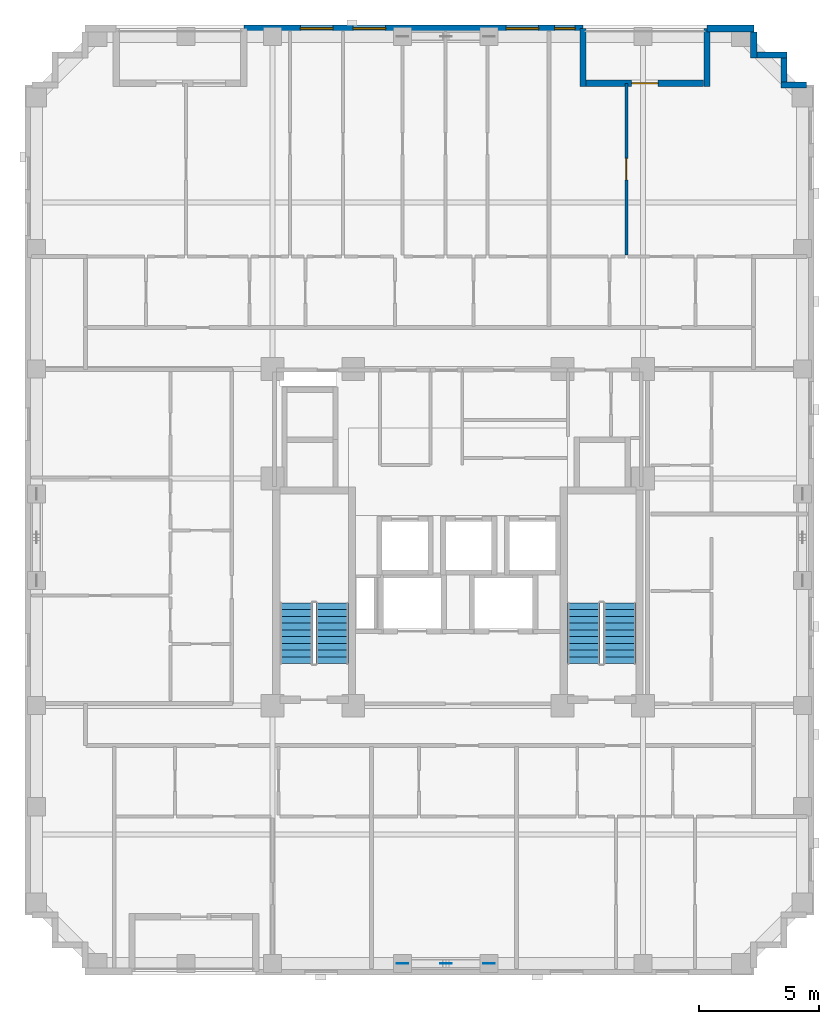
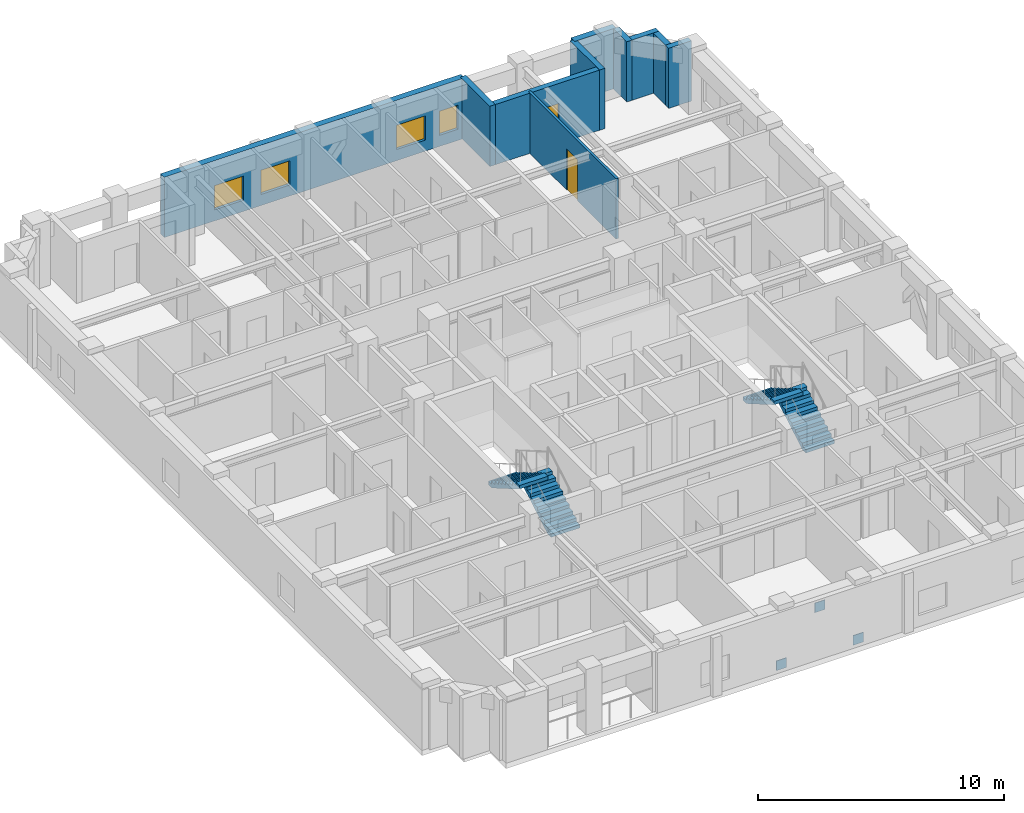
# One storey, part 8 of 11: 10 walls, 4 stair flights, 4 windows, 3 discrete accessories, 2 doors, 6 openings, 2 elements without a shape of their own.
"""IFC4 building model written with IfcOpenShell, lengths in metres."""

import ifcopenshell
import ifcopenshell.guid

model = None  # the IFC model being written
_history = None  # IfcOwnerHistory: only IFC2X3 demands one
_inside = {}  # id of a spatial element -> (the spatial element, [elements in it])
_under = {}  # id of a project, library or spatial element -> (it, [spatial elements below it])
_declared = {}  # id of a project -> (the project, [libraries it declares])
_typed = {}  # id of a type object -> (the type object, [elements of that type])
_made_of = {}  # id of a material, layer set ... -> (it, [elements and type objects made of it])


def new_model(schema):
    """Start an empty IFC model of exactly this schema.

    Asked for "IFC4X3", IfcOpenShell would pick the latest addendum, in which some entities
    have other attributes; the version numbers below select the first issue.
    IFC2X3 requires an IfcOwnerHistory on every rooted entity: one is made here for all.
    """
    global model, _history
    if schema == "IFC4X3":
        model = ifcopenshell.file(schema_version=(4, 3, 0, 0))
    else:
        model = ifcopenshell.file(schema=schema)
    _inside.clear()
    _under.clear()
    _declared.clear()
    _typed.clear()
    _made_of.clear()
    _history = None
    if model.schema == "IFC2X3":
        org = make("IfcOrganization", Name="unknown")
        user = make(
            "IfcPersonAndOrganization",
            ThePerson=make("IfcPerson", FamilyName="unknown"),
            TheOrganization=org,
        )
        app = make(
            "IfcApplication",
            ApplicationDeveloper=org,
            Version="unknown",
            ApplicationFullName="unknown",
            ApplicationIdentifier="unknown",
        )
        _history = make(
            "IfcOwnerHistory",
            OwningUser=user,
            OwningApplication=app,
            ChangeAction="ADDED",
            CreationDate=0,
        )
    return model


def make(cls, **values):
    """One entity of the class cls with the attributes given. An attribute that is None is left unset."""
    return model.create_entity(
        cls, **{name: value for name, value in values.items() if value is not None}
    )


def rooted(cls, **values):
    """An entity with a GlobalId (a new one), such as an element, a storey or a relation."""
    return make(cls, GlobalId=ifcopenshell.guid.new(), OwnerHistory=_history, **values)


def si_unit(unit_type, name, prefix=None):
    """IfcSIUnit, for example si_unit("LENGTHUNIT", "METRE", prefix="MILLI")."""
    return make("IfcSIUnit", UnitType=unit_type, Prefix=prefix, Name=name)


def derived_unit(unit_type, elements):
    """IfcDerivedUnit: a product of units, each with its exponent."""
    return make(
        "IfcDerivedUnit",
        Elements=[
            make("IfcDerivedUnitElement", Unit=unit, Exponent=power)
            for unit, power in elements
        ],
        UnitType=unit_type,
    )


def assignment(units):
    """IfcUnitAssignment: the units of a project."""
    return None if units is None else make("IfcUnitAssignment", Units=units)


def point(xyz):
    """IfcCartesianPoint."""
    return None if xyz is None else make("IfcCartesianPoint", Coordinates=xyz)


def direction(xyz):
    """IfcDirection."""
    return None if xyz is None else make("IfcDirection", DirectionRatios=xyz)


def frame(location, z_axis=None, x_axis=None):
    """IfcAxis2Placement3D, a coordinate frame: its origin and axes. An axis left out is left unset."""
    return make(
        "IfcAxis2Placement3D",
        Location=point(location),
        Axis=direction(z_axis),
        RefDirection=direction(x_axis),
    )


def frame_2d(location, x_axis=None):
    """IfcAxis2Placement2D, a coordinate frame in the plane: its origin and x axis."""
    return make(
        "IfcAxis2Placement2D", Location=point(location), RefDirection=direction(x_axis)
    )


def origin():
    """The frame at (0, 0, 0) with its axes left unset."""
    return frame((0.0, 0.0, 0.0))


def origin_2d():
    """The frame at (0, 0) in the plane with its x axis left unset."""
    return frame_2d((0.0, 0.0))


def place(relative_to, where):
    """IfcLocalPlacement: puts the frame where relative to a parent placement (None: the world)."""
    return make(
        "IfcLocalPlacement", PlacementRelTo=relative_to, RelativePlacement=where
    )


def context(
    kind, dimensions, precision=None, world=None, true_north=None, identifier=None
):
    """IfcGeometricRepresentationContext, for example the 3D "Model" context."""
    return make(
        "IfcGeometricRepresentationContext",
        ContextIdentifier=identifier,
        ContextType=kind,
        CoordinateSpaceDimension=dimensions,
        Precision=precision,
        WorldCoordinateSystem=world,
        TrueNorth=true_north,
    )


def subcontext(parent, identifier, kind, view, scale=None):
    """IfcGeometricRepresentationSubContext, for example "Body" below "Model"."""
    return make(
        "IfcGeometricRepresentationSubContext",
        ContextIdentifier=identifier,
        ContextType=kind,
        ParentContext=parent,
        TargetScale=scale,
        TargetView=view,
    )


def project(units=None, contexts=None):
    """IfcProject with its units and contexts."""
    return rooted(
        "IfcProject",
        Name="project",
        RepresentationContexts=contexts,
        UnitsInContext=assignment(units),
    )


def spatial(cls, under=None, at=None, **own):
    """A site, building, storey or space (cls), placed at a placement, below another one or the project."""
    s = rooted(cls, ObjectPlacement=at, **own)
    if under is not None:
        _under.setdefault(under.id(), (under, []))[1].append(s)
    return s


def polyline(points):
    """IfcPolyline through the points."""
    return make("IfcPolyline", Points=[point(p) for p in points])


def profile(cls, at=None, kind="AREA", **sizes):
    """A parametric profile (cls). Its sizes go by their IFC names, for example OverallWidth=200.0."""
    return make(cls, ProfileType=kind, Position=at, **sizes)


def rectangle(**sizes):
    """IfcRectangleProfileDef."""
    return profile("IfcRectangleProfileDef", **sizes)


def outline(outer, holes=None, kind="AREA"):
    """IfcArbitraryClosedProfileDef: a profile drawn as a closed curve; with holes, ...WithVoids."""
    if holes is None:
        return make("IfcArbitraryClosedProfileDef", ProfileType=kind, OuterCurve=outer)
    return make(
        "IfcArbitraryProfileDefWithVoids",
        ProfileType=kind,
        OuterCurve=outer,
        InnerCurves=holes,
    )


def extrude(swept, where, along, depth):
    """IfcExtrudedAreaSolid: the profile swept, set in the frame where, extruded along a direction by depth."""
    return make(
        "IfcExtrudedAreaSolid",
        SweptArea=swept,
        Position=where,
        ExtrudedDirection=direction(along),
        Depth=depth,
    )


def shape(context_of_items, identifier, shape_type, items):
    """IfcShapeRepresentation: the items that make up one representation, for example the "Body"."""
    return make(
        "IfcShapeRepresentation",
        ContextOfItems=context_of_items,
        RepresentationIdentifier=identifier,
        RepresentationType=shape_type,
        Items=items,
    )


def material(Name=None, Category=None):
    """IfcMaterial."""
    return make("IfcMaterial", Name=Name, Category=Category)


def layer(
    of_material, thickness, ventilated=None, Name=None, Category=None, Priority=None
):
    """IfcMaterialLayer: one layer of a wall or slab, of a material (None: an air gap)."""
    return make(
        "IfcMaterialLayer",
        Material=of_material,
        LayerThickness=thickness,
        IsVentilated=ventilated,
        Name=Name,
        Category=Category,
        Priority=Priority,
    )


def layer_set(layers, Name=None):
    """IfcMaterialLayerSet."""
    return make("IfcMaterialLayerSet", MaterialLayers=layers, LayerSetName=Name)


def made_of(thing, what):
    """Note that an element or type object is made of a material, layer set ...; save() writes the relation."""
    if what is not None:
        _made_of.setdefault(what.id(), (what, []))[1].append(thing)
    return thing


def type_object(cls, material=None, **own):
    """A type object (cls), such as IfcWallType, which elements share."""
    return made_of(rooted(cls, **own), material)


def element(
    cls,
    number,
    at=None,
    inside=None,
    cuts=None,
    type_object=None,
    material=None,
    context=None,
    identifier="Body",
    shape_type=None,
    held_by="IfcProductDefinitionShape",
    body=None,
    shapes=None,
    **own,
):
    """One element of the class cls, such as IfcWall. Its Tag is "e" and its number.

    at: its placement. inside: the storey or other place that contains it. cuts: it is an
    opening in that element (IfcRelVoidsElement). A single representation is given by context,
    identifier, shape_type and body (its items); several are given by shapes. held_by: the class
    of the entity that holds the representations. save() writes the other relations.
    """
    e = rooted(cls, Tag="e%d" % number, ObjectPlacement=at, **own)
    if body is not None:
        shapes = [shape(context, identifier, shape_type, body)]
    if shapes is not None:
        e.Representation = make(held_by, Representations=shapes)
    if inside is not None:
        _inside.setdefault(inside.id(), (inside, []))[1].append(e)
    if cuts is not None:
        rooted(
            "IfcRelVoidsElement", RelatingBuildingElement=cuts, RelatedOpeningElement=e
        )
    if type_object is not None:
        _typed.setdefault(type_object.id(), (type_object, []))[1].append(e)
    return made_of(e, material)


def fill(opening, filler):
    """IfcRelFillsElement: the door or window that sits in an opening."""
    return rooted(
        "IfcRelFillsElement",
        RelatingOpeningElement=opening,
        RelatedBuildingElement=filler,
    )


def aggregate(whole, parts):
    """IfcRelAggregates: a whole, such as a stair, and the parts it consists of."""
    return rooted("IfcRelAggregates", RelatingObject=whole, RelatedObjects=parts)


def save(model, path):
    """Write the relations noted so far, then the file.

    IfcRelAggregates (storeys below a building ...), IfcRelContainedInSpatialStructure (elements
    in a storey), IfcRelDefinesByType, IfcRelAssociatesMaterial and IfcRelDeclares: one each for
    every whole, place, type object, material and project.
    """
    for whole, parts in _under.values():
        aggregate(whole, parts)
    for where, things in _inside.values():
        rooted(
            "IfcRelContainedInSpatialStructure",
            RelatedElements=things,
            RelatingStructure=where,
        )
    for kind, things in _typed.values():
        rooted("IfcRelDefinesByType", RelatedObjects=things, RelatingType=kind)
    for what, things in _made_of.values():
        rooted("IfcRelAssociatesMaterial", RelatedObjects=things, RelatingMaterial=what)
    for by, libraries in _declared.values():
        rooted("IfcRelDeclares", RelatingContext=by, RelatedDefinitions=libraries)
    model.write(path)


model = new_model("IFC4")

# Units and contexts
model_context = context("Model", 3, precision=1e-05, world=origin(), true_north=direction((0.0, 1.0)))
body_context = subcontext(model_context, "Body", "Model", "MODEL_VIEW")
ifc_project = project(units=[si_unit("LENGTHUNIT", "METRE"), si_unit("AREAUNIT", "SQUARE_METRE"), si_unit("VOLUMEUNIT", "CUBIC_METRE"), si_unit("PLANEANGLEUNIT", "RADIAN"), si_unit("MASSUNIT", "GRAM", prefix="KILO"), derived_unit("THERMALTRANSMITTANCEUNIT", [(si_unit("MASSUNIT", "GRAM", prefix="KILO"), 1), (si_unit("TIMEUNIT", "SECOND"), -3), (si_unit("THERMODYNAMICTEMPERATUREUNIT", "KELVIN"), -1)])], contexts=[model_context])

# Site, building, storey
site_placement = place(None, origin())
site = spatial("IfcSite", under=ifc_project, at=site_placement, CompositionType="ELEMENT")
building_placement = place(site_placement, origin())
building = spatial("IfcBuilding", under=site, at=building_placement, Name="Korrvale Station Residences", CompositionType="ELEMENT")
storey_placement = place(building_placement, frame((0.0, 0.0, 134.14990234375)))
storey = spatial("IfcBuildingStorey", under=building, at=storey_placement, Name="L38", CompositionType="ELEMENT", Elevation=134.14990234375)

# Wall
ifc_material_1 = material(Name="Precast concrete C45/55", Category="concrete")
ifc_layer_1 = layer(ifc_material_1, 0.260009765625, Name="Precast concrete C45/55")
ifc_layer_set_1 = layer_set([ifc_layer_1], Name="Precast concrete C45/55")
wall_type_1 = type_object("IfcWallType", Name="WAL-EXT-LOG260", PredefinedType="SOLIDWALL", material=ifc_layer_set_1)
wall_1_placement = place(storey_placement, frame((30.699951171875, 43.139892578125, 0.0), z_axis=(0.0, 0.0, 1.0), x_axis=(0.0, -1.0, 0.0)))
element("IfcWall", 1, at=wall_1_placement, inside=storey, type_object=wall_type_1, Name="L38 Recessed Loggia Wall BAL-L38-N1-L", PredefinedType="SOLIDWALL", context=body_context, shape_type="SweptSolid", body=[
    extrude(rectangle(XDim=2.39990234375, YDim=0.260009765625, at=frame_2d((1.199951171875, 0.0))), origin(), (0.0, 0.0, 1.0), 2.989990234375),
])

# Wall, opening, door
wall_2_placement = place(storey_placement, frame((30.833984375, 40.8701171875, 0.0), z_axis=(0.0, 0.0, 1.0), x_axis=(1.0, 0.0, 0.0)))
wall_2 = element("IfcWall", 2, at=wall_2_placement, inside=storey, type_object=wall_type_1, Name="L38 Recessed Loggia Wall BAL-L38-N1-B", PredefinedType="SOLIDWALL", context=body_context, shape_type="SweptSolid", body=[
    extrude(rectangle(XDim=4.882080078125, YDim=0.260009765625, at=frame_2d((2.44091796875, 0.0))), origin(), (0.0, 0.0, 1.0), 2.989990234375),
])
opening_1_placement = place(wall_2_placement, frame((1.89111328125, 0.0, 0.0)))
opening_1 = element("IfcOpeningElement", 3, at=opening_1_placement, cuts=wall_2, Name="Opening BD-01", PredefinedType="OPENING", context=body_context, shape_type="SweptSolid", body=[
    extrude(rectangle(XDim=1.10009765625, YDim=2.0, at=frame_2d((0.550048828125, 1.0))), frame((0.0, 0.14013671875, 0.0), z_axis=(0.0, -1.0, 0.0), x_axis=(1.0, 0.0, 0.0)), (0.0, 0.0, 1.0), 0.280029296875),
])
ifc_material_2 = material(Name="Exterior thermally broken aluminium glazed balcony door", Category="aluminium")
door_type_1 = type_object("IfcDoorType", Name="DR-EXT-BAL", OperationType="NOTDEFINED", PredefinedType="DOOR", material=ifc_material_2)
door_1_placement = place(opening_1_placement, origin())
door_1 = element("IfcDoor", 4, at=door_1_placement, inside=storey, type_object=door_type_1, Name="L38 Loggia Balcony Door BAL-L38-N1", OperationType="SINGLE_SWING_RIGHT", OverallHeight=2.0, OverallWidth=1.10009765625, PredefinedType="DOOR", context=body_context, shape_type="SweptSolid", body=[
    extrude(rectangle(XDim=1.10009765625, YDim=2.0, at=frame_2d((0.550048828125, 1.0))), frame((0.0, 0.02490234375, 0.0), z_axis=(0.0, -1.0, 0.0), x_axis=(1.0, 0.0, 0.0)), (0.0, 0.0, 1.0), 0.050048828125),
])
fill(opening_1, door_1)

# Walls
wall_3_placement = place(storey_placement, frame((35.85009765625, 40.739990234375, 0.0), z_axis=(0.0, 0.0, 1.0), x_axis=(0.0, 1.0, 0.0)))
element("IfcWall", 5, at=wall_3_placement, inside=storey, type_object=wall_type_1, Name="L38 Recessed Loggia Wall BAL-L38-N1-R", PredefinedType="SOLIDWALL", context=body_context, shape_type="SweptSolid", body=[
    extrude(rectangle(XDim=2.39990234375, YDim=0.260009765625, at=frame_2d((1.199951171875, 0.0))), origin(), (0.0, 0.0, 1.0), 2.989990234375),
])
wall_4_placement = place(storey_placement, frame((37.800048828125, 42.998046875, 0.0), z_axis=(0.0, 0.0, 1.0), x_axis=(0.0, -1.0, 0.0)))
element("IfcWall", 6, at=wall_4_placement, inside=storey, type_object=wall_type_1, Name="L38 Serrated Corner Precast Step NE-1", PredefinedType="SOLIDWALL", context=body_context, shape_type="SweptSolid", body=[
    extrude(rectangle(XDim=1.078125, YDim=0.260009765625, at=frame_2d((0.5390625, 0.0))), origin(), (0.0, 0.0, 1.0), 2.989990234375),
])
wall_5_placement = place(storey_placement, frame((37.931884765625, 42.050048828125, 0.0), z_axis=(0.0, 0.0, 1.0), x_axis=(1.0, 0.0, 0.0)))
element("IfcWall", 7, at=wall_5_placement, inside=storey, type_object=wall_type_1, Name="L38 Serrated Corner Precast Step NE-2", PredefinedType="SOLIDWALL", context=body_context, shape_type="SweptSolid", body=[
    extrude(rectangle(XDim=1.248046875, YDim=0.260009765625, at=frame_2d((0.6240234375, 0.0))), origin(), (0.0, 0.0, 1.0), 2.989990234375),
])
wall_6_placement = place(storey_placement, frame((39.050048828125, 41.91796875, 0.0), z_axis=(0.0, 0.0, 1.0), x_axis=(0.0, -1.0, 0.0)))
element("IfcWall", 8, at=wall_6_placement, inside=storey, type_object=wall_type_1, Name="L38 Serrated Corner Precast Step NE-3", PredefinedType="SOLIDWALL", context=body_context, shape_type="SweptSolid", body=[
    extrude(rectangle(XDim=0.986083984375, YDim=0.260009765625, at=frame_2d((0.4931640625, 0.0))), origin(), (0.0, 0.0, 1.0), 2.989990234375),
])
wall_7_placement = place(storey_placement, frame((38.919921875, 40.800048828125, 0.0), z_axis=(0.0, 0.0, 1.0), x_axis=(1.0, 0.0, 0.0)))
element("IfcWall", 9, at=wall_7_placement, inside=storey, type_object=wall_type_1, Name="L38 Serrated Corner Precast Step NE-4", PredefinedType="SOLIDWALL", context=body_context, shape_type="SweptSolid", body=[
    extrude(rectangle(XDim=1.078125, YDim=0.260009765625, at=frame_2d((0.5390625, 0.0))), origin(), (0.0, 0.0, 1.0), 2.989990234375),
])

# Wall, openings, windows
ifc_layer_2 = layer(ifc_material_1, 0.300048828125, Name="Precast concrete C45/55")
ifc_layer_set_2 = layer_set([ifc_layer_2], Name="Precast concrete C45/55")
wall_type_2 = type_object("IfcWallType", Name="WAL-EXT-PC300", PredefinedType="SOLIDWALL", material=ifc_layer_set_2)
wall_8_placement = place(storey_placement, frame((16.60009765625, 43.14990234375, 0.0), z_axis=(0.0, 0.0, 1.0), x_axis=(1.0, 0.0, 0.0)))
wall_8 = element("IfcWall", 10, at=wall_8_placement, inside=storey, type_object=wall_type_2, Name="L38 North Exterior Precast Wall 2", PredefinedType="SOLIDWALL", context=body_context, shape_type="SweptSolid", body=[
    extrude(rectangle(XDim=14.099853515625, YDim=0.300048828125, at=frame_2d((7.0498046875, 0.0))), origin(), (0.0, 0.0, 1.0), 2.989990234375),
])
opening_2_placement = place(wall_8_placement, frame((2.35693359375, 0.0, 0.550048828125)))
opening_2 = element("IfcOpeningElement", 11, at=opening_2_placement, cuts=wall_8, Name="Opening W-10", PredefinedType="OPENING", context=body_context, shape_type="SweptSolid", body=[
    extrude(rectangle(XDim=1.35009765625, YDim=1.199951171875, at=frame_2d((0.675048828125, 0.60009765625))), frame((0.0, 0.16015625, 0.0), z_axis=(0.0, -1.0, 0.0), x_axis=(1.0, 0.0, 0.0)), (0.0, 0.0, 1.0), 0.320068359375),
])
opening_3_placement = place(wall_8_placement, frame((4.550048828125, 0.0, 0.550048828125)))
opening_3 = element("IfcOpeningElement", 12, at=opening_3_placement, cuts=wall_8, Name="Opening W-10", PredefinedType="OPENING", context=body_context, shape_type="SweptSolid", body=[
    extrude(rectangle(XDim=1.35009765625, YDim=1.199951171875, at=frame_2d((0.675048828125, 0.60009765625))), frame((0.0, 0.16015625, 0.0), z_axis=(0.0, -1.0, 0.0), x_axis=(1.0, 0.0, 0.0)), (0.0, 0.0, 1.0), 0.320068359375),
])
opening_4_placement = place(wall_8_placement, frame((10.89990234375, 0.0, 0.550048828125)))
opening_4 = element("IfcOpeningElement", 13, at=opening_4_placement, cuts=wall_8, Name="Opening W-10", PredefinedType="OPENING", context=body_context, shape_type="SweptSolid", body=[
    extrude(rectangle(XDim=1.35009765625, YDim=1.199951171875, at=frame_2d((0.675048828125, 0.60009765625))), frame((0.0, 0.16015625, 0.0), z_axis=(0.0, -1.0, 0.0), x_axis=(1.0, 0.0, 0.0)), (0.0, 0.0, 1.0), 0.320068359375),
])
opening_5_placement = place(wall_8_placement, frame((12.923095703125, 0.0, 0.550048828125)))
opening_5 = element("IfcOpeningElement", 14, at=opening_5_placement, cuts=wall_8, Name="Opening W-11", PredefinedType="OPENING", context=body_context, shape_type="SweptSolid", body=[
    extrude(rectangle(XDim=0.85009765625, YDim=1.199951171875, at=frame_2d((0.425048828125, 0.60009765625))), frame((0.0, 0.16015625, 0.0), z_axis=(0.0, -1.0, 0.0), x_axis=(1.0, 0.0, 0.0)), (0.0, 0.0, 1.0), 0.320068359375),
])
ifc_material_3 = material(Name="Thermally broken aluminium frame with triple low-e glazing", Category="aluminium")
window_type_1 = type_object("IfcWindowType", Name="WIN-W10", PartitioningType="SINGLE_PANEL", PredefinedType="WINDOW", material=ifc_material_3)
window_1_placement = place(opening_2_placement, origin())
window_1 = element("IfcWindow", 15, at=window_1_placement, inside=storey, type_object=window_type_1, Name="L38 Punched Window 09", OverallHeight=1.199951171875, OverallWidth=1.35009765625, PartitioningType="SINGLE_PANEL", PredefinedType="WINDOW", context=body_context, shape_type="SweptSolid", body=[
    extrude(rectangle(XDim=1.35009765625, YDim=1.199951171875, at=frame_2d((0.675048828125, 0.60009765625))), frame((0.0, 0.030029296875, 0.0), z_axis=(0.0, -1.0, 0.0), x_axis=(1.0, 0.0, 0.0)), (0.0, 0.0, 1.0), 0.06005859375),
])
fill(opening_2, window_1)
window_2_placement = place(opening_3_placement, origin())
window_2 = element("IfcWindow", 16, at=window_2_placement, inside=storey, type_object=window_type_1, Name="L38 Punched Window 10", OverallHeight=1.199951171875, OverallWidth=1.35009765625, PartitioningType="SINGLE_PANEL", PredefinedType="WINDOW", context=body_context, shape_type="SweptSolid", body=[
    extrude(rectangle(XDim=1.35009765625, YDim=1.199951171875, at=frame_2d((0.675048828125, 0.60009765625))), frame((0.0, 0.030029296875, 0.0), z_axis=(0.0, -1.0, 0.0), x_axis=(1.0, 0.0, 0.0)), (0.0, 0.0, 1.0), 0.06005859375),
])
fill(opening_3, window_2)
window_3_placement = place(opening_4_placement, origin())
window_3 = element("IfcWindow", 17, at=window_3_placement, inside=storey, type_object=window_type_1, Name="L38 Punched Window 11", OverallHeight=1.199951171875, OverallWidth=1.35009765625, PartitioningType="SINGLE_PANEL", PredefinedType="WINDOW", context=body_context, shape_type="SweptSolid", body=[
    extrude(rectangle(XDim=1.35009765625, YDim=1.199951171875, at=frame_2d((0.675048828125, 0.60009765625))), frame((0.0, 0.030029296875, 0.0), z_axis=(0.0, -1.0, 0.0), x_axis=(1.0, 0.0, 0.0)), (0.0, 0.0, 1.0), 0.06005859375),
])
fill(opening_4, window_3)
window_type_2 = type_object("IfcWindowType", Name="WIN-W11", PartitioningType="SINGLE_PANEL", PredefinedType="WINDOW", material=ifc_material_3)
window_4_placement = place(opening_5_placement, origin())
window_4 = element("IfcWindow", 18, at=window_4_placement, inside=storey, type_object=window_type_2, Name="L38 Punched Window 12", OverallHeight=1.199951171875, OverallWidth=0.85009765625, PartitioningType="SINGLE_PANEL", PredefinedType="WINDOW", context=body_context, shape_type="SweptSolid", body=[
    extrude(rectangle(XDim=0.85009765625, YDim=1.199951171875, at=frame_2d((0.425048828125, 0.60009765625))), frame((0.0, 0.030029296875, 0.0), z_axis=(0.0, -1.0, 0.0), x_axis=(1.0, 0.0, 0.0)), (0.0, 0.0, 1.0), 0.06005859375),
])
fill(opening_5, window_4)

# Wall
wall_9_placement = place(storey_placement, frame((35.85009765625, 43.14990234375, 0.0), z_axis=(0.0, 0.0, 1.0), x_axis=(1.0, 0.0, 0.0)))
element("IfcWall", 19, at=wall_9_placement, inside=storey, type_object=wall_type_2, Name="L38 North Exterior Precast Wall 3", PredefinedType="SOLIDWALL", context=body_context, shape_type="SweptSolid", body=[
    extrude(rectangle(XDim=1.949951171875, YDim=0.300048828125, at=frame_2d((0.97509765625, 0.0))), origin(), (0.0, 0.0, 1.0), 2.989990234375),
])

# Wall, opening, door
ifc_material_4 = material(Name="Acoustic steel-stud gypsum board partition", Category="steel")
ifc_layer_3 = layer(ifc_material_4, 0.1201171875, Name="Acoustic steel-stud gypsum board partition")
ifc_layer_set_3 = layer_set([ifc_layer_3], Name="Acoustic steel-stud gypsum board partition")
wall_type_3 = type_object("IfcWallType", Name="WAL-PART-125", PredefinedType="PARTITIONING", material=ifc_layer_set_3)
wall_10_placement = place(storey_placement, frame((32.5029296875, 33.72998046875, 0.0), z_axis=(0.0, 0.0, 1.0), x_axis=(0.0, 1.0, 0.0)))
wall_10 = element("IfcWall", 20, at=wall_10_placement, inside=storey, type_object=wall_type_3, Name="L38 Suite Partition U05-V34", PredefinedType="PARTITIONING", context=body_context, shape_type="SweptSolid", body=[
    extrude(rectangle(XDim=7.14013671875, YDim=0.1201171875, at=frame_2d((3.570068359375, 0.0))), origin(), (0.0, 0.0, 1.0), 2.989990234375),
])
opening_6_placement = place(wall_10_placement, frame((3.1201171875, 0.0, 0.0)))
opening_6 = element("IfcOpeningElement", 21, at=opening_6_placement, cuts=wall_10, Name="Opening DI-900", PredefinedType="OPENING", context=body_context, shape_type="SweptSolid", body=[
    extrude(rectangle(XDim=0.89990234375, YDim=2.050048828125, at=frame_2d((0.449951171875, 1.02490234375))), frame((0.0, 0.070068359375, 0.0), z_axis=(0.0, -1.0, 0.0), x_axis=(1.0, 0.0, 0.0)), (0.0, 0.0, 1.0), 0.14013671875),
])
ifc_material_5 = material(Name="Painted solid-core timber interior room door", Category="wood")
door_type_2 = type_object("IfcDoorType", Name="DR-INT-900", OperationType="NOTDEFINED", PredefinedType="DOOR", material=ifc_material_5)
door_2_placement = place(opening_6_placement, origin())
door_2 = element("IfcDoor", 22, at=door_2_placement, inside=storey, type_object=door_type_2, Name="L38 Studio Apartment L38-U05 Formal Dining Room Door", OperationType="SINGLE_SWING_RIGHT", OverallHeight=2.050048828125, OverallWidth=0.89990234375, PredefinedType="DOOR", context=body_context, shape_type="SweptSolid", body=[
    extrude(rectangle(XDim=0.89990234375, YDim=2.050048828125, at=frame_2d((0.449951171875, 1.02490234375))), frame((0.0, 0.02490234375, 0.0), z_axis=(0.0, -1.0, 0.0), x_axis=(1.0, 0.0, 0.0)), (0.0, 0.0, 1.0), 0.050048828125),
])
fill(opening_6, door_2)

# Stair, stair flights
ifc_material_6 = material(Name="Concrete C50/60", Category="concrete")
stair_type = type_object("IfcStairType", Name="STR-DL-1350-20R-1625", PredefinedType="HALF_TURN_STAIR", material=ifc_material_6)
stair_1_placement = place(storey_placement, origin())
stair_1 = element("IfcStair", 23, at=stair_1_placement, inside=storey, type_object=stair_type, Name="L38 Exit Stair 1", PredefinedType="HALF_TURN_STAIR")
stair_flight_type = type_object("IfcStairFlightType", Name="FLT-DL-1350-20R-1625", PredefinedType="STRAIGHT", material=ifc_material_6)
stair_flight_1_placement = place(storey_placement, frame((20.27490234375, 16.75, 0.0), z_axis=(0.0, 0.0, 1.0), x_axis=(0.0, 1.0, 0.0)))
stair_flight_1 = element("IfcStairFlight", 24, at=stair_flight_1_placement, type_object=stair_flight_type, Name="ST-1 flight 1", NumberOfRisers=10, NumberOfTreads=9, PredefinedType="STRAIGHT", RiserHeight=0.1625, TreadLength=0.28, context=body_context, shape_type="SweptSolid", body=[
    extrude(outline(polyline([(0.0, 0.0), (0.0, 0.16259765625), (0.280029296875, 0.16259765625), (0.280029296875, 0.324951171875), (0.56005859375, 0.324951171875), (0.56005859375, 0.487548828125), (0.840087890625, 0.487548828125), (0.840087890625, 0.64990234375), (1.1201171875, 0.64990234375), (1.1201171875, 0.8125), (1.39990234375, 0.8125), (1.39990234375, 0.97509765625), (1.679931640625, 0.97509765625), (1.679931640625, 1.137451171875), (1.9599609375, 1.137451171875), (1.9599609375, 1.300048828125), (2.239990234375, 1.300048828125), (2.239990234375, 1.46240234375), (2.52001953125, 1.46240234375), (2.52001953125, 1.625), (2.52001953125, 1.2890625), (0.298583984375, 0.0), (0.0, 0.0)])), frame((0.0, 0.675048828125, 0.0), z_axis=(0.0, -1.0, 0.0), x_axis=(1.0, 0.0, 0.0)), (0.0, 0.0, 1.0), 1.35009765625),
])
stair_flight_2_placement = place(storey_placement, frame((18.77490234375, 19.27001953125, 1.625), z_axis=(0.0, 0.0, 1.0), x_axis=(0.0, -1.0, 0.0)))
stair_flight_2 = element("IfcStairFlight", 25, at=stair_flight_2_placement, type_object=stair_flight_type, Name="ST-1 flight 2", NumberOfRisers=10, NumberOfTreads=9, PredefinedType="STRAIGHT", RiserHeight=0.1625, TreadLength=0.28, context=body_context, shape_type="SweptSolid", body=[
    extrude(outline(polyline([(0.0, 0.0), (0.0, 0.16259765625), (0.280029296875, 0.16259765625), (0.280029296875, 0.324951171875), (0.56005859375, 0.324951171875), (0.56005859375, 0.487548828125), (0.840087890625, 0.487548828125), (0.840087890625, 0.64990234375), (1.1201171875, 0.64990234375), (1.1201171875, 0.8125), (1.39990234375, 0.8125), (1.39990234375, 0.97509765625), (1.679931640625, 0.97509765625), (1.679931640625, 1.137451171875), (1.9599609375, 1.137451171875), (1.9599609375, 1.300048828125), (2.239990234375, 1.300048828125), (2.239990234375, 1.46240234375), (2.52001953125, 1.46240234375), (2.52001953125, 1.625), (2.52001953125, 1.2890625), (0.298583984375, 0.0), (0.0, 0.0)])), frame((0.0, 0.675048828125, 0.0), z_axis=(0.0, -1.0, 0.0), x_axis=(1.0, 0.0, 0.0)), (0.0, 0.0, 1.0), 1.35009765625),
])
aggregate(stair_1, [stair_flight_1, stair_flight_2])

stair_2_placement = place(storey_placement, origin())
stair_2 = element("IfcStair", 26, at=stair_2_placement, inside=storey, type_object=stair_type, Name="L38 Exit Stair 2", PredefinedType="HALF_TURN_STAIR")
stair_flight_3_placement = place(storey_placement, frame((32.22509765625, 16.75, 0.0), z_axis=(0.0, 0.0, 1.0), x_axis=(0.0, 1.0, 0.0)))
stair_flight_3 = element("IfcStairFlight", 27, at=stair_flight_3_placement, type_object=stair_flight_type, Name="ST-2 flight 1", NumberOfRisers=10, NumberOfTreads=9, PredefinedType="STRAIGHT", RiserHeight=0.1625, TreadLength=0.28, context=body_context, shape_type="SweptSolid", body=[
    extrude(outline(polyline([(0.0, 0.0), (0.0, 0.16259765625), (0.280029296875, 0.16259765625), (0.280029296875, 0.324951171875), (0.56005859375, 0.324951171875), (0.56005859375, 0.487548828125), (0.840087890625, 0.487548828125), (0.840087890625, 0.64990234375), (1.1201171875, 0.64990234375), (1.1201171875, 0.8125), (1.39990234375, 0.8125), (1.39990234375, 0.97509765625), (1.679931640625, 0.97509765625), (1.679931640625, 1.137451171875), (1.9599609375, 1.137451171875), (1.9599609375, 1.300048828125), (2.239990234375, 1.300048828125), (2.239990234375, 1.46240234375), (2.52001953125, 1.46240234375), (2.52001953125, 1.625), (2.52001953125, 1.2890625), (0.298583984375, 0.0), (0.0, 0.0)])), frame((0.0, 0.675048828125, 0.0), z_axis=(0.0, -1.0, 0.0), x_axis=(1.0, 0.0, 0.0)), (0.0, 0.0, 1.0), 1.35009765625),
])
stair_flight_4_placement = place(storey_placement, frame((30.72509765625, 19.27001953125, 1.625), z_axis=(0.0, 0.0, 1.0), x_axis=(0.0, -1.0, 0.0)))
stair_flight_4 = element("IfcStairFlight", 28, at=stair_flight_4_placement, type_object=stair_flight_type, Name="ST-2 flight 2", NumberOfRisers=10, NumberOfTreads=9, PredefinedType="STRAIGHT", RiserHeight=0.1625, TreadLength=0.28, context=body_context, shape_type="SweptSolid", body=[
    extrude(outline(polyline([(0.0, 0.0), (0.0, 0.16259765625), (0.280029296875, 0.16259765625), (0.280029296875, 0.324951171875), (0.56005859375, 0.324951171875), (0.56005859375, 0.487548828125), (0.840087890625, 0.487548828125), (0.840087890625, 0.64990234375), (1.1201171875, 0.64990234375), (1.1201171875, 0.8125), (1.39990234375, 0.8125), (1.39990234375, 0.97509765625), (1.679931640625, 0.97509765625), (1.679931640625, 1.137451171875), (1.9599609375, 1.137451171875), (1.9599609375, 1.300048828125), (2.239990234375, 1.300048828125), (2.239990234375, 1.46240234375), (2.52001953125, 1.46240234375), (2.52001953125, 1.625), (2.52001953125, 1.2890625), (0.298583984375, 0.0), (0.0, 0.0)])), frame((0.0, 0.675048828125, 0.0), z_axis=(0.0, -1.0, 0.0), x_axis=(1.0, 0.0, 0.0)), (0.0, 0.0, 1.0), 1.35009765625),
])
aggregate(stair_2, [stair_flight_3, stair_flight_4])

# Discrete accessories
ifc_material_7 = material(Name="Steel S355", Category="steel")
ifc_layer_4 = layer(ifc_material_7, 0.02490234375, Name="Steel S355")
ifc_layer_set_4 = layer_set([ifc_layer_4], Name="Steel S355")
discrete_accessory_type = type_object("IfcDiscreteAccessoryType", Name="ACC-GUSSET-25", PredefinedType="BRACKET", material=ifc_layer_set_4)
for number, where, z_axis, x_axis, name in (
    (29, (23.199951171875, 4.280029296875, -0.219970703125), (0.0, 0.0, 1.0), (1.0, 0.0, 0.0), "L38 S Brace End Gusset Connection A"),
    (30, (26.800048828125, 4.280029296875, -0.219970703125), (0.0, 0.0, 1.0), (1.0, 0.0, 0.0), "L38 S Brace End Gusset Connection B"),
    (31, (25.0, 4.280029296875, 2.02001953125), (0.0, 0.0, 1.0), (1.0, 0.0, 0.0), "L38 S Brace End Gusset Connection M"),
):
    element("IfcDiscreteAccessory", number, at=place(storey_placement, frame(where, z_axis=z_axis, x_axis=x_axis)), inside=storey, type_object=discrete_accessory_type, Name=name, PredefinedType="BRACKET", context=body_context, shape_type="SweptSolid", body=[
        extrude(rectangle(XDim=0.47998046875, YDim=0.02490234375, at=origin_2d()), origin(), (0.0, 0.0, 1.0), 0.47998046875),
    ])

save(model, "model.ifc")
